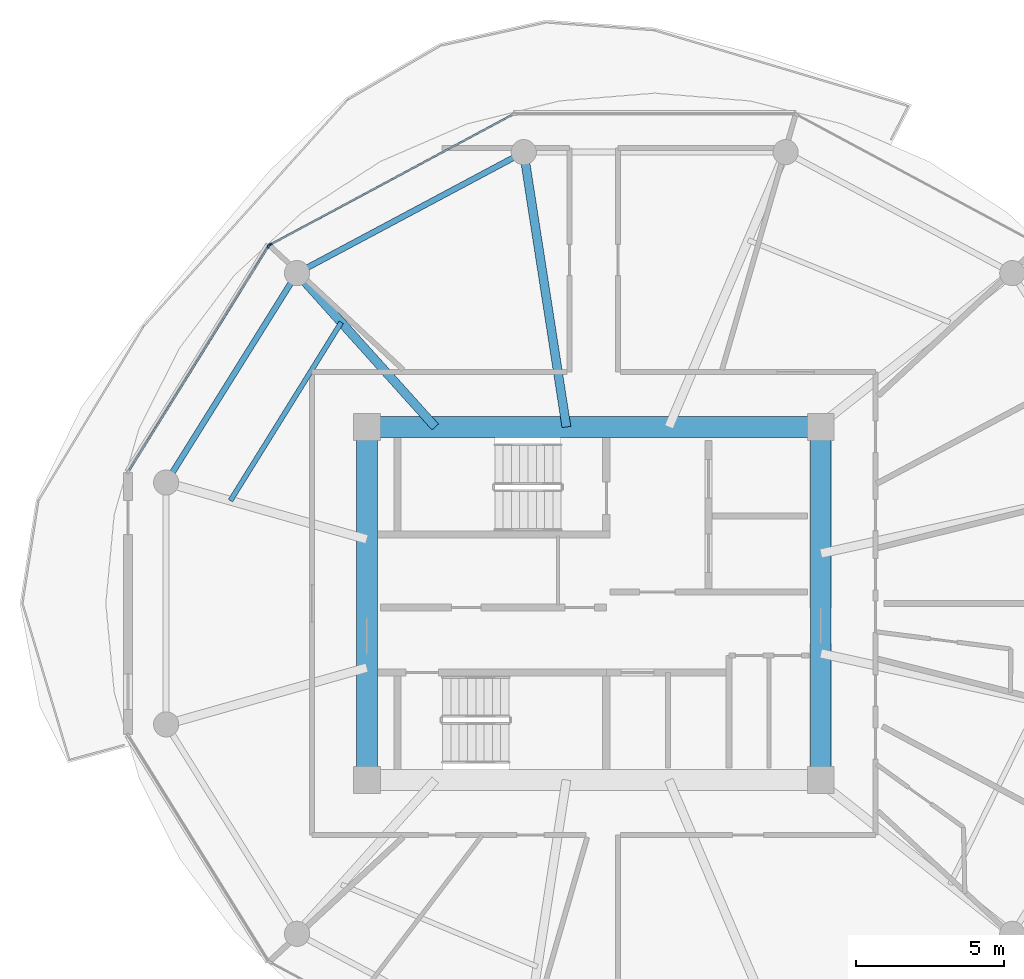
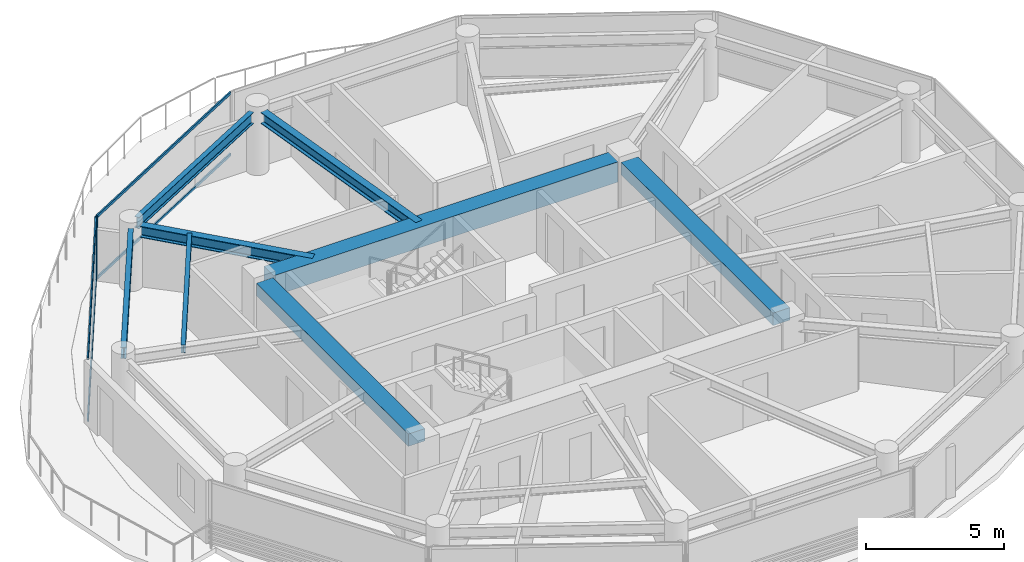
# One storey, part 4 of 22: 8 beams, 6 members, 2 elements without a shape of their own.
"""IFC4 building model written with IfcOpenShell, lengths in metres."""

import ifcopenshell
import ifcopenshell.guid

model = None  # the IFC model being written
_history = None  # IfcOwnerHistory: only IFC2X3 demands one
_inside = {}  # id of a spatial element -> (the spatial element, [elements in it])
_under = {}  # id of a project, library or spatial element -> (it, [spatial elements below it])
_declared = {}  # id of a project -> (the project, [libraries it declares])
_typed = {}  # id of a type object -> (the type object, [elements of that type])
_made_of = {}  # id of a material, layer set ... -> (it, [elements and type objects made of it])


def new_model(schema):
    """Start an empty IFC model of exactly this schema.

    Asked for "IFC4X3", IfcOpenShell would pick the latest addendum, in which some entities
    have other attributes; the version numbers below select the first issue.
    IFC2X3 requires an IfcOwnerHistory on every rooted entity: one is made here for all.
    """
    global model, _history
    if schema == "IFC4X3":
        model = ifcopenshell.file(schema_version=(4, 3, 0, 0))
    else:
        model = ifcopenshell.file(schema=schema)
    _inside.clear()
    _under.clear()
    _declared.clear()
    _typed.clear()
    _made_of.clear()
    _history = None
    if model.schema == "IFC2X3":
        org = make("IfcOrganization", Name="unknown")
        user = make(
            "IfcPersonAndOrganization",
            ThePerson=make("IfcPerson", FamilyName="unknown"),
            TheOrganization=org,
        )
        app = make(
            "IfcApplication",
            ApplicationDeveloper=org,
            Version="unknown",
            ApplicationFullName="unknown",
            ApplicationIdentifier="unknown",
        )
        _history = make(
            "IfcOwnerHistory",
            OwningUser=user,
            OwningApplication=app,
            ChangeAction="ADDED",
            CreationDate=0,
        )
    return model


def make(cls, **values):
    """One entity of the class cls with the attributes given. An attribute that is None is left unset."""
    return model.create_entity(
        cls, **{name: value for name, value in values.items() if value is not None}
    )


def rooted(cls, **values):
    """An entity with a GlobalId (a new one), such as an element, a storey or a relation."""
    return make(cls, GlobalId=ifcopenshell.guid.new(), OwnerHistory=_history, **values)


def si_unit(unit_type, name, prefix=None):
    """IfcSIUnit, for example si_unit("LENGTHUNIT", "METRE", prefix="MILLI")."""
    return make("IfcSIUnit", UnitType=unit_type, Prefix=prefix, Name=name)


def assignment(units):
    """IfcUnitAssignment: the units of a project."""
    return None if units is None else make("IfcUnitAssignment", Units=units)


def point(xyz):
    """IfcCartesianPoint."""
    return None if xyz is None else make("IfcCartesianPoint", Coordinates=xyz)


def direction(xyz):
    """IfcDirection."""
    return None if xyz is None else make("IfcDirection", DirectionRatios=xyz)


def frame(location, z_axis=None, x_axis=None):
    """IfcAxis2Placement3D, a coordinate frame: its origin and axes. An axis left out is left unset."""
    return make(
        "IfcAxis2Placement3D",
        Location=point(location),
        Axis=direction(z_axis),
        RefDirection=direction(x_axis),
    )


def frame_2d(location, x_axis=None):
    """IfcAxis2Placement2D, a coordinate frame in the plane: its origin and x axis."""
    return make(
        "IfcAxis2Placement2D", Location=point(location), RefDirection=direction(x_axis)
    )


def origin():
    """The frame at (0, 0, 0) with its axes left unset."""
    return frame((0.0, 0.0, 0.0))


def origin_2d():
    """The frame at (0, 0) in the plane with its x axis left unset."""
    return frame_2d((0.0, 0.0))


def place(relative_to, where):
    """IfcLocalPlacement: puts the frame where relative to a parent placement (None: the world)."""
    return make(
        "IfcLocalPlacement", PlacementRelTo=relative_to, RelativePlacement=where
    )


def context(
    kind, dimensions, precision=None, world=None, true_north=None, identifier=None
):
    """IfcGeometricRepresentationContext, for example the 3D "Model" context."""
    return make(
        "IfcGeometricRepresentationContext",
        ContextIdentifier=identifier,
        ContextType=kind,
        CoordinateSpaceDimension=dimensions,
        Precision=precision,
        WorldCoordinateSystem=world,
        TrueNorth=true_north,
    )


def subcontext(parent, identifier, kind, view, scale=None):
    """IfcGeometricRepresentationSubContext, for example "Body" below "Model"."""
    return make(
        "IfcGeometricRepresentationSubContext",
        ContextIdentifier=identifier,
        ContextType=kind,
        ParentContext=parent,
        TargetScale=scale,
        TargetView=view,
    )


def project(units=None, contexts=None):
    """IfcProject with its units and contexts."""
    return rooted(
        "IfcProject",
        Name="project",
        RepresentationContexts=contexts,
        UnitsInContext=assignment(units),
    )


def spatial(cls, under=None, at=None, **own):
    """A site, building, storey or space (cls), placed at a placement, below another one or the project."""
    s = rooted(cls, ObjectPlacement=at, **own)
    if under is not None:
        _under.setdefault(under.id(), (under, []))[1].append(s)
    return s


def profile(cls, at=None, kind="AREA", **sizes):
    """A parametric profile (cls). Its sizes go by their IFC names, for example OverallWidth=200.0."""
    return make(cls, ProfileType=kind, Position=at, **sizes)


def rectangle(**sizes):
    """IfcRectangleProfileDef."""
    return profile("IfcRectangleProfileDef", **sizes)


def i_section(**sizes):
    """IfcIShapeProfileDef."""
    return profile("IfcIShapeProfileDef", **sizes)


def extrude(swept, where, along, depth):
    """IfcExtrudedAreaSolid: the profile swept, set in the frame where, extruded along a direction by depth."""
    return make(
        "IfcExtrudedAreaSolid",
        SweptArea=swept,
        Position=where,
        ExtrudedDirection=direction(along),
        Depth=depth,
    )


def shape(context_of_items, identifier, shape_type, items):
    """IfcShapeRepresentation: the items that make up one representation, for example the "Body"."""
    return make(
        "IfcShapeRepresentation",
        ContextOfItems=context_of_items,
        RepresentationIdentifier=identifier,
        RepresentationType=shape_type,
        Items=items,
    )


def source(mapping_origin, context_of_items, identifier, shape_type, items):
    """IfcRepresentationMap: a shape defined once, which mapped items show again and again."""
    return make(
        "IfcRepresentationMap",
        MappingOrigin=mapping_origin,
        MappedRepresentation=shape(context_of_items, identifier, shape_type, items),
    )


def transform(
    local_origin,
    x_axis=None,
    y_axis=None,
    z_axis=None,
    scale=None,
    scale2=None,
    scale3=None,
    uniform=True,
):
    """IfcCartesianTransformationOperator3D, or its non-uniform kind. x_axis, y_axis, z_axis: its Axis1, 2, 3."""
    if uniform:
        return make(
            "IfcCartesianTransformationOperator3D",
            Axis1=direction(x_axis),
            Axis2=direction(y_axis),
            LocalOrigin=point(local_origin),
            Scale=scale,
            Axis3=direction(z_axis),
        )
    return make(
        "IfcCartesianTransformationOperator3DnonUniform",
        Axis1=direction(x_axis),
        Axis2=direction(y_axis),
        LocalOrigin=point(local_origin),
        Scale=scale,
        Axis3=direction(z_axis),
        Scale2=scale2,
        Scale3=scale3,
    )


def mapped(mapping_source, mapping_target):
    """IfcMappedItem: shows the shape of a source again, moved by a transform."""
    return make(
        "IfcMappedItem", MappingSource=mapping_source, MappingTarget=mapping_target
    )


def material(Name=None, Category=None):
    """IfcMaterial."""
    return make("IfcMaterial", Name=Name, Category=Category)


def layer(
    of_material, thickness, ventilated=None, Name=None, Category=None, Priority=None
):
    """IfcMaterialLayer: one layer of a wall or slab, of a material (None: an air gap)."""
    return make(
        "IfcMaterialLayer",
        Material=of_material,
        LayerThickness=thickness,
        IsVentilated=ventilated,
        Name=Name,
        Category=Category,
        Priority=Priority,
    )


def layer_set(layers, Name=None):
    """IfcMaterialLayerSet."""
    return make("IfcMaterialLayerSet", MaterialLayers=layers, LayerSetName=Name)


def material_profile(
    of_material, cross_section, Name=None, Category=None, Priority=None
):
    """IfcMaterialProfile: a cross section and its material."""
    return make(
        "IfcMaterialProfile",
        Name=Name,
        Material=of_material,
        Profile=cross_section,
        Priority=Priority,
        Category=Category,
    )


def profile_set(profiles, Name=None, composite=None):
    """IfcMaterialProfileSet."""
    return make(
        "IfcMaterialProfileSet",
        Name=Name,
        MaterialProfiles=profiles,
        CompositeProfile=composite,
    )


def made_of(thing, what):
    """Note that an element or type object is made of a material, layer set ...; save() writes the relation."""
    if what is not None:
        _made_of.setdefault(what.id(), (what, []))[1].append(thing)
    return thing


def type_object(cls, material=None, **own):
    """A type object (cls), such as IfcWallType, which elements share."""
    return made_of(rooted(cls, **own), material)


def type_shapes(of_type, sources):
    """Give a type object the sources (RepresentationMaps) that its elements show as mapped items."""
    of_type.RepresentationMaps = sources


def element(
    cls,
    number,
    at=None,
    inside=None,
    cuts=None,
    type_object=None,
    material=None,
    context=None,
    identifier="Body",
    shape_type=None,
    held_by="IfcProductDefinitionShape",
    body=None,
    shapes=None,
    **own,
):
    """One element of the class cls, such as IfcWall. Its Tag is "e" and its number.

    at: its placement. inside: the storey or other place that contains it. cuts: it is an
    opening in that element (IfcRelVoidsElement). A single representation is given by context,
    identifier, shape_type and body (its items); several are given by shapes. held_by: the class
    of the entity that holds the representations. save() writes the other relations.
    """
    e = rooted(cls, Tag="e%d" % number, ObjectPlacement=at, **own)
    if body is not None:
        shapes = [shape(context, identifier, shape_type, body)]
    if shapes is not None:
        e.Representation = make(held_by, Representations=shapes)
    if inside is not None:
        _inside.setdefault(inside.id(), (inside, []))[1].append(e)
    if cuts is not None:
        rooted(
            "IfcRelVoidsElement", RelatingBuildingElement=cuts, RelatedOpeningElement=e
        )
    if type_object is not None:
        _typed.setdefault(type_object.id(), (type_object, []))[1].append(e)
    return made_of(e, material)


def aggregate(whole, parts):
    """IfcRelAggregates: a whole, such as a stair, and the parts it consists of."""
    return rooted("IfcRelAggregates", RelatingObject=whole, RelatedObjects=parts)


def save(model, path):
    """Write the relations noted so far, then the file.

    IfcRelAggregates (storeys below a building ...), IfcRelContainedInSpatialStructure (elements
    in a storey), IfcRelDefinesByType, IfcRelAssociatesMaterial and IfcRelDeclares: one each for
    every whole, place, type object, material and project.
    """
    for whole, parts in _under.values():
        aggregate(whole, parts)
    for where, things in _inside.values():
        rooted(
            "IfcRelContainedInSpatialStructure",
            RelatedElements=things,
            RelatingStructure=where,
        )
    for kind, things in _typed.values():
        rooted("IfcRelDefinesByType", RelatedObjects=things, RelatingType=kind)
    for what, things in _made_of.values():
        rooted("IfcRelAssociatesMaterial", RelatedObjects=things, RelatingMaterial=what)
    for by, libraries in _declared.values():
        rooted("IfcRelDeclares", RelatingContext=by, RelatedDefinitions=libraries)
    model.write(path)


model = new_model("IFC4")

# Units and contexts
model_context = context("Model", 3, precision=1e-05, world=origin(), true_north=direction((0.0, 1.0)))
body_context = subcontext(model_context, "Body", "Model", "MODEL_VIEW")
ifc_project = project(units=[si_unit("LENGTHUNIT", "METRE"), si_unit("AREAUNIT", "SQUARE_METRE"), si_unit("VOLUMEUNIT", "CUBIC_METRE"), si_unit("PLANEANGLEUNIT", "RADIAN"), si_unit("MASSUNIT", "GRAM", prefix="KILO")], contexts=[model_context])

# Site, building, storey
site_placement = place(None, origin())
site = spatial("IfcSite", under=ifc_project, at=site_placement, CompositionType="ELEMENT")
building_placement = place(site_placement, origin())
building = spatial("IfcBuilding", under=site, at=building_placement, Name="Norrkilde Senior Care Towers", CompositionType="ELEMENT")
storey_placement = place(building_placement, frame((0.0, 0.0, 87.10009765625)))
storey = spatial("IfcBuildingStorey", under=building, at=storey_placement, Name="L26", CompositionType="ELEMENT", Elevation=87.10009765625)

# Beams
ifc_material_1 = material(Name="Concrete C60/75", Category="concrete")
ifc_material_profile_1 = material_profile(ifc_material_1, rectangle(XDim=0.699951171875, YDim=0.89990234375, at=origin_2d()), Name="RC BM 700x900")
ifc_profile_set_1 = profile_set([ifc_material_profile_1], Name="Concrete C60/75")
beam_type_1 = type_object("IfcBeamType", Name="Core Coupling Girder 700x900", PredefinedType="USERDEFINED", material=ifc_profile_set_1)
shared_shape_1 = source(origin(), body_context, "Body", "SweptSolid", [
    extrude(rectangle(XDim=0.699951171875, YDim=0.89990234375, at=origin_2d()), origin(), (0.0, 0.0, 1.0), 14.43994140625),
])
type_shapes(beam_type_1, [shared_shape_1])
beam_1_placement = place(storey_placement, frame((-35.219970703125, 5.949951171875, 2.33984375), z_axis=(1.0, 0.0, 0.0), x_axis=(0.0, 1.0, 0.0)))
element("IfcBeam", 1, at=beam_1_placement, inside=storey, type_object=beam_type_1, Name="L26 Core W N Coupling Girder", ObjectType="GIRDER", PredefinedType="USERDEFINED", context=body_context, shape_type="MappedRepresentation", body=[
    mapped(shared_shape_1, transform((0.0, 0.0, 0.0), x_axis=(1.0, 0.0, 0.0), y_axis=(0.0, 1.0, 0.0), z_axis=(0.0, 0.0, 1.0), scale=1.0)),
])
ifc_material_profile_2 = material_profile(ifc_material_1, rectangle(XDim=0.699951171875, YDim=0.550048828125, at=origin_2d()), Name="RC BM 700x550")
ifc_profile_set_2 = profile_set([ifc_material_profile_2], Name="Concrete C60/75")
beam_type_2 = type_object("IfcBeamType", Name="Core Portal Coupling Beam 700x550", PredefinedType="USERDEFINED", material=ifc_profile_set_2)
shared_shape_2 = source(origin(), body_context, "Body", "SweptSolid", [
    extrude(rectangle(XDim=0.699951171875, YDim=0.550048828125, at=origin_2d()), origin(), (0.0, 0.0, 1.0), 11.0400390625),
])
type_shapes(beam_type_2, [shared_shape_2])
for number, where, z_axis, x_axis, name in (
    (2, (-35.64990234375, -5.52001953125, 2.514892578125), (0.0, 1.0, 0.0), (-1.0, 0.0, 0.0), "L26 Core W W Coupling Girder"),
    (3, (-20.35009765625, -5.52001953125, 2.514892578125), (0.0, 1.0, 0.0), (-1.0, 0.0, 0.0), "L26 Core W E Coupling Girder"),
):
    element("IfcBeam", number, at=place(storey_placement, frame(where, z_axis=z_axis, x_axis=x_axis)), inside=storey, type_object=beam_type_2, Name=name, ObjectType="GIRDER", PredefinedType="USERDEFINED", context=body_context, shape_type="MappedRepresentation", body=[
        mapped(shared_shape_2, transform((0.0, 0.0, 0.0), x_axis=(1.0, 0.0, 0.0), y_axis=(0.0, 1.0, 0.0), z_axis=(0.0, 0.0, 1.0), scale=1.0)),
    ])
ifc_material_2 = material(Name="Steel S355", Category="steel")
ifc_material_profile_3 = material_profile(ifc_material_2, i_section(OverallWidth=0.199951171875, OverallDepth=0.5, WebThickness=0.01025390625, FlangeThickness=0.01611328125, FilletRadius=0.02099609375, at=origin_2d()), Name="IPE 500")
ifc_profile_set_3 = profile_set([ifc_material_profile_3], Name="Steel S355")
beam_type_3 = type_object("IfcBeamType", Name="Perimeter Ring Spandrel Z2 IPE500", PredefinedType="SPANDREL", material=ifc_profile_set_3)
shared_shape_3 = source(origin(), body_context, "Body", "SweptSolid", [
    extrude(i_section(OverallWidth=0.199951171875, OverallDepth=0.5, WebThickness=0.01025390625, FlangeThickness=0.01611328125, FilletRadius=0.02099609375, at=origin_2d()), origin(), (0.0, 0.0, 1.0), 7.892333984375),
])
beam_2_placement = place(storey_placement, frame((-30.70263671875, 15.0322265625, 2.539794921875), z_axis=(-0.882350372282, -0.47059305194, 0.0), x_axis=(0.47059305194, -0.882350372282, 0.0)))
element("IfcBeam", 4, at=beam_2_placement, inside=storey, type_object=beam_type_3, Name="L26 Drum W Perimeter Spandrel 04", PredefinedType="SPANDREL", context=body_context, shape_type="MappedRepresentation", body=[
    mapped(shared_shape_3, transform((0.0, 0.0, 0.0), x_axis=(1.0, 0.0, 0.0), y_axis=(0.0, 1.0, 0.0), z_axis=(0.0, 0.0, 1.0), scale=1.0)),
])
ifc_material_profile_4 = material_profile(ifc_material_2, i_section(OverallWidth=0.300048828125, OverallDepth=0.5, WebThickness=0.014404296875, FlangeThickness=0.028076171875, FilletRadius=0.027099609375, at=origin_2d()), Name="HEB 500")
ifc_profile_set_4 = profile_set([ifc_material_profile_4], Name="Steel S355")
beam_type_4 = type_object("IfcBeamType", Name="Radial Floor Beam Z2 HEB500", PredefinedType="BEAM", material=ifc_profile_set_4)
shared_shape_4 = source(origin(), body_context, "Body", "SweptSolid", [
    extrude(i_section(OverallWidth=0.300048828125, OverallDepth=0.5, WebThickness=0.014404296875, FlangeThickness=0.028076171875, FilletRadius=0.027099609375, at=origin_2d()), origin(), (0.0, 0.0, 1.0), 8.989501953125),
])
beam_3_placement = place(storey_placement, frame((-28.924072265625, 5.949951171875, 2.539794921875), z_axis=(-0.153471298636, 0.988153105796, 0.0), x_axis=(-0.988153105796, -0.153471298636, 0.0)))
element("IfcBeam", 5, at=beam_3_placement, inside=storey, type_object=beam_type_4, Name="L26 Drum W Radial Floor Beam 04", PredefinedType="BEAM", context=body_context, shape_type="MappedRepresentation", body=[
    mapped(shared_shape_4, transform((0.0, 0.0, 0.0), x_axis=(1.0, 0.0, 0.0), y_axis=(0.0, 1.0, 0.0), z_axis=(0.0, 0.0, 1.0), scale=1.0)),
])
shared_shape_5 = source(origin(), body_context, "Body", "SweptSolid", [
    extrude(i_section(OverallWidth=0.199951171875, OverallDepth=0.5, WebThickness=0.01025390625, FlangeThickness=0.01611328125, FilletRadius=0.02099609375, at=origin_2d()), origin(), (0.0, 0.0, 1.0), 7.556396484375),
])
type_shapes(beam_type_3, [shared_shape_3, shared_shape_5])
beam_4_placement = place(storey_placement, frame((-38.210205078125, 10.810546875, 2.539794921875), z_axis=(-0.530004748437, -0.847994673706, 0.0), x_axis=(0.847994673706, -0.530004748437, 0.0)))
element("IfcBeam", 6, at=beam_4_placement, inside=storey, type_object=beam_type_3, Name="L26 Drum W Perimeter Spandrel 05", PredefinedType="SPANDREL", context=body_context, shape_type="MappedRepresentation", body=[
    mapped(shared_shape_5, transform((0.0, 0.0, 0.0), x_axis=(1.0, 0.0, 0.0), y_axis=(0.0, 1.0, 0.0), z_axis=(0.0, 0.0, 1.0), scale=1.0)),
])
shared_shape_6 = source(origin(), body_context, "Body", "SweptSolid", [
    extrude(i_section(OverallWidth=0.300048828125, OverallDepth=0.5, WebThickness=0.014404296875, FlangeThickness=0.028076171875, FilletRadius=0.027099609375, at=origin_2d()), origin(), (0.0, 0.0, 1.0), 6.587890625),
])
type_shapes(beam_type_4, [shared_shape_4, shared_shape_6])
beam_5_placement = place(storey_placement, frame((-33.345947265625, 5.949951171875, 2.539794921875), z_axis=(-0.668315438605, 0.743877997068, 0.0), x_axis=(-0.743877997068, -0.668315438605, 0.0)))
element("IfcBeam", 7, at=beam_5_placement, inside=storey, type_object=beam_type_4, Name="L26 Drum W Radial Floor Beam 05", PredefinedType="BEAM", context=body_context, shape_type="MappedRepresentation", body=[
    mapped(shared_shape_6, transform((0.0, 0.0, 0.0), x_axis=(1.0, 0.0, 0.0), y_axis=(0.0, 1.0, 0.0), z_axis=(0.0, 0.0, 1.0), scale=1.0)),
])
ifc_material_profile_5 = material_profile(ifc_material_2, i_section(OverallWidth=0.169921875, OverallDepth=0.360107421875, WebThickness=0.008056640625, FlangeThickness=0.0126953125, FilletRadius=0.01806640625, at=origin_2d()), Name="IPE 360")
ifc_profile_set_5 = profile_set([ifc_material_profile_5], Name="Steel S355")
beam_type_5 = type_object("IfcBeamType", Name="Secondary Floor Joist IPE360", PredefinedType="JOIST", material=ifc_profile_set_5)
shared_shape_7 = source(origin(), body_context, "Body", "SweptSolid", [
    extrude(i_section(OverallWidth=0.169921875, OverallDepth=0.360107421875, WebThickness=0.008056640625, FlangeThickness=0.0126953125, FilletRadius=0.01806640625, at=origin_2d()), origin(), (0.0, 0.0, 1.0), 7.080078125),
])
type_shapes(beam_type_5, [shared_shape_7])
beam_6_placement = place(storey_placement, frame((-36.514892578125, 9.47705078125, 2.60986328125), z_axis=(-0.527961009189, -0.849268610497, 0.0), x_axis=(0.849268610497, -0.527961009189, 0.0)))
element("IfcBeam", 8, at=beam_6_placement, inside=storey, type_object=beam_type_5, Name="L26 Drum W Secondary Floor Joist 2", PredefinedType="JOIST", context=body_context, shape_type="MappedRepresentation", body=[
    mapped(shared_shape_7, transform((0.0, 0.0, 0.0), x_axis=(1.0, 0.0, 0.0), y_axis=(0.0, 1.0, 0.0), z_axis=(0.0, 0.0, 1.0), scale=1.0)),
])

# Curtain wall, member
ifc_material_3 = material(Name="Triple Low-E Insulated Glazing", Category="glass")
ifc_layer = layer(ifc_material_3, 0.195068359375)
ifc_layer_set = layer_set([ifc_layer], Name="Triple Low-E Insulated Glazing")
curtain_wall_type = type_object("IfcCurtainWallType", Name="CW3 Zone 2 Assisted Living Curtain Wall", PredefinedType="NOTDEFINED", material=ifc_layer_set)
curtain_wall_1_placement = place(storey_placement, origin())
curtain_wall_1 = element("IfcCurtainWall", 9, at=curtain_wall_1_placement, inside=storey, type_object=curtain_wall_type, Name="L26 Drum W Curtain Wall 03", PredefinedType="NOTDEFINED")
ifc_material_4 = material(Name="Anodised Aluminium", Category="aluminium")
ifc_material_profile_6 = material_profile(ifc_material_4, rectangle(XDim=0.06494140625, YDim=0.159912109375, at=origin_2d()), Name="ALU MULL 65x160")
ifc_profile_set_6 = profile_set([ifc_material_profile_6], Name="Anodised Aluminium")
member_type_1 = type_object("IfcMemberType", Name="Curtain Wall Mullion Z1-Z2 65x160", PredefinedType="MULLION", material=ifc_profile_set_6)
shared_shape_8 = source(origin(), body_context, "Body", "SweptSolid", [
    extrude(rectangle(XDim=0.06494140625, YDim=0.159912109375, at=origin_2d()), origin(), (0.0, 0.0, 1.0), 2.789794921875),
])
type_shapes(member_type_1, [shared_shape_8])
member_1_placement = place(storey_placement, frame((-38.91796875, 12.0927734375, 0.0), z_axis=(0.0, 0.0, 1.0), x_axis=(-0.472769402511, 0.881186184668, 0.0)))
member_1 = element("IfcMember", 10, at=member_1_placement, type_object=member_type_1, Name="CW-3 mullion 1", PredefinedType="MULLION", context=body_context, shape_type="MappedRepresentation", body=[
    mapped(shared_shape_8, transform((0.0, 0.0, 0.0), x_axis=(1.0, 0.0, 0.0), y_axis=(0.0, 1.0, 0.0), z_axis=(0.0, 0.0, 1.0), scale=1.0)),
])

# Curtain wall, members
curtain_wall_2_placement = place(storey_placement, origin())
curtain_wall_2 = element("IfcCurtainWall", 11, at=curtain_wall_2_placement, inside=storey, type_object=curtain_wall_type, Name="L26 Drum W Curtain Wall 04", PredefinedType="NOTDEFINED")
member_2_placement = place(storey_placement, frame((-38.9638671875, 12.0498046875, 0.0), z_axis=(0.0, 0.0, 1.0), x_axis=(-0.849410171862, 0.527733228002, 0.0)))
member_2 = element("IfcMember", 12, at=member_2_placement, type_object=member_type_1, Name="CW-3 mullion 2", PredefinedType="MULLION", context=body_context, shape_type="MappedRepresentation", body=[
    mapped(shared_shape_8, transform((0.0, 0.0, 0.0), x_axis=(1.0, 0.0, 0.0), y_axis=(0.0, 1.0, 0.0), z_axis=(0.0, 0.0, 1.0), scale=1.0)),
])
ifc_material_profile_7 = material_profile(ifc_material_4, rectangle(XDim=0.06005859375, YDim=0.1201171875, at=origin_2d()), Name="ALU TRAN 60x120")
ifc_profile_set_7 = profile_set([ifc_material_profile_7], Name="Anodised Aluminium")
member_type_2 = type_object("IfcMemberType", Name="Curtain Wall Transom Typical 60x120", PredefinedType="USERDEFINED", material=ifc_profile_set_7)
shared_shape_9 = source(origin(), body_context, "Body", "SweptSolid", [
    extrude(rectangle(XDim=0.06005859375, YDim=0.1201171875, at=origin_2d()), origin(), (0.0, 0.0, 1.0), 8.88427734375),
])
member_3_placement = place(storey_placement, frame((-43.66943359375, 4.475830078125, 0.02978515625), z_axis=(0.527729466743, 0.849412508697, 0.0), x_axis=(-0.849412508697, 0.527729466743, 0.0)))
member_3 = element("IfcMember", 13, at=member_3_placement, type_object=member_type_2, Name="CW-3 transom 1.1", ObjectType="TRANSOM", PredefinedType="USERDEFINED", context=body_context, shape_type="MappedRepresentation", body=[
    mapped(shared_shape_9, transform((0.0, 0.0, 0.0), x_axis=(1.0, 0.0, 0.0), y_axis=(0.0, 1.0, 0.0), z_axis=(0.0, 0.0, 1.0), scale=1.0)),
])
member_4_placement = place(storey_placement, frame((-43.66943359375, 4.475830078125, 2.760009765625), z_axis=(0.527729466743, 0.849412508697, 0.0), x_axis=(-0.849412508697, 0.527729466743, 0.0)))
member_4 = element("IfcMember", 14, at=member_4_placement, type_object=member_type_2, Name="CW-3 transom 1.2", ObjectType="TRANSOM", PredefinedType="USERDEFINED", context=body_context, shape_type="MappedRepresentation", body=[
    mapped(shared_shape_9, transform((0.0, 0.0, 0.0), x_axis=(1.0, 0.0, 0.0), y_axis=(0.0, 1.0, 0.0), z_axis=(0.0, 0.0, 1.0), scale=1.0)),
])
aggregate(curtain_wall_2, [member_2, member_3, member_4])

# Member
shared_shape_10 = source(origin(), body_context, "Body", "SweptSolid", [
    extrude(rectangle(XDim=0.06005859375, YDim=0.1201171875, at=origin_2d()), origin(), (0.0, 0.0, 1.0), 9.220458984375),
])
type_shapes(member_type_2, [shared_shape_9, shared_shape_10])
member_5_placement = place(storey_placement, frame((-38.889404296875, 12.108154296875, 0.02978515625), z_axis=(0.881188517866, 0.472765053681, 0.0), x_axis=(-0.472765053681, 0.881188517866, 0.0)))
member_5 = element("IfcMember", 15, at=member_5_placement, type_object=member_type_2, Name="CW-3 transom 1.1", ObjectType="TRANSOM", PredefinedType="USERDEFINED", context=body_context, shape_type="MappedRepresentation", body=[
    mapped(shared_shape_10, transform((0.0, 0.0, 0.0), x_axis=(1.0, 0.0, 0.0), y_axis=(0.0, 1.0, 0.0), z_axis=(0.0, 0.0, 1.0), scale=1.0)),
])

member_6_placement = place(storey_placement, frame((-38.889404296875, 12.108154296875, 2.760009765625), z_axis=(0.881188517866, 0.472765053681, 0.0), x_axis=(-0.472765053681, 0.881188517866, 0.0)))
member_6 = element("IfcMember", 16, at=member_6_placement, type_object=member_type_2, Name="CW-3 transom 1.2", ObjectType="TRANSOM", PredefinedType="USERDEFINED", context=body_context, shape_type="MappedRepresentation", body=[
    mapped(shared_shape_10, transform((0.0, 0.0, 0.0), x_axis=(1.0, 0.0, 0.0), y_axis=(0.0, 1.0, 0.0), z_axis=(0.0, 0.0, 1.0), scale=1.0)),
])

aggregate(curtain_wall_1, [member_1, member_5, member_6])

save(model, "model.ifc")
